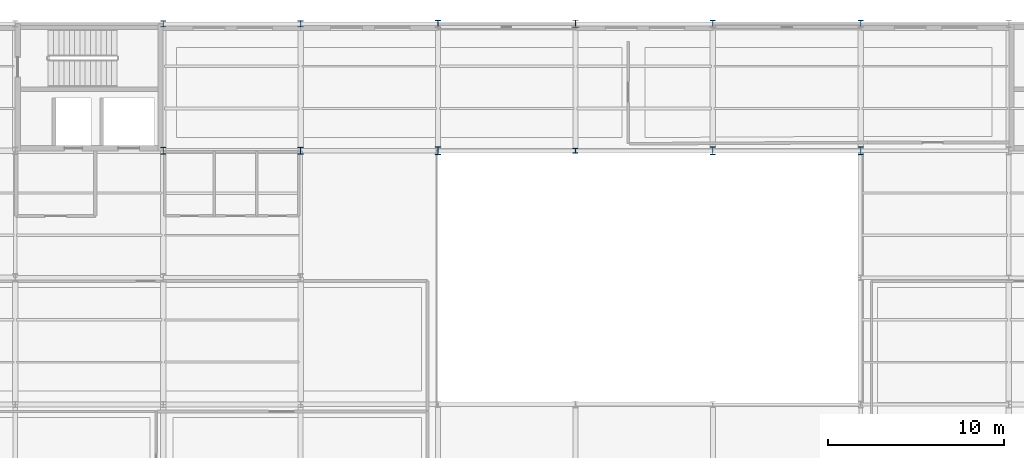
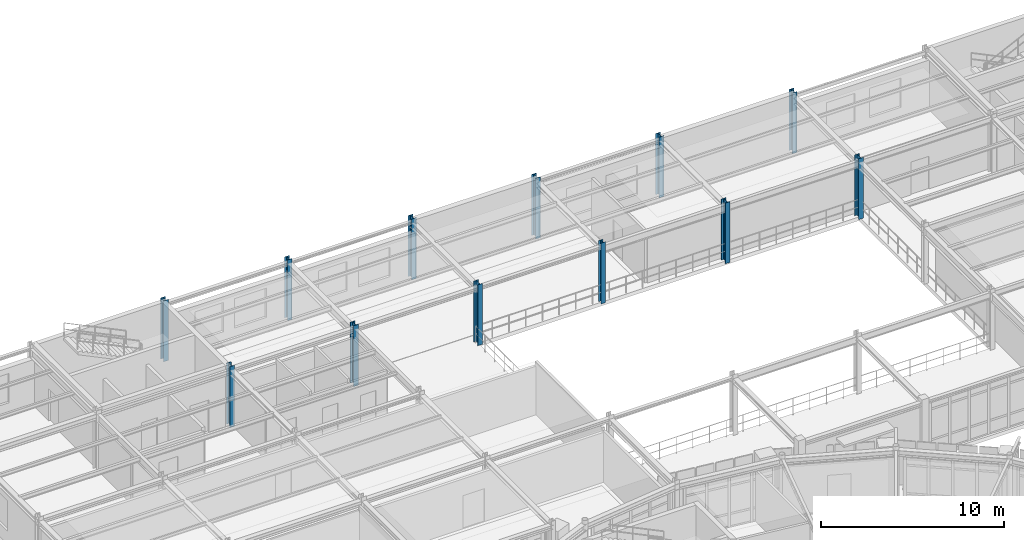
# One storey, part 16 of 70: 12 columns.
"""IFC4 building model written with IfcOpenShell, lengths in metres."""

from ifc_helpers import new_model, si_unit, derived_unit, direction, frame, origin, origin_2d, place, context, subcontext, project, spatial, i_section, extrude, material, material_profile, profile_set, type_object, element, save


model = new_model("IFC4")

# Units and contexts
model_context = context("Model", 3, precision=1e-05, world=origin(), true_north=direction((0.0, 1.0)))
body_context = subcontext(model_context, "Body", "Model", "MODEL_VIEW")
ifc_project = project(units=[si_unit("LENGTHUNIT", "METRE"), si_unit("AREAUNIT", "SQUARE_METRE"), si_unit("VOLUMEUNIT", "CUBIC_METRE"), si_unit("PLANEANGLEUNIT", "RADIAN"), si_unit("MASSUNIT", "GRAM", prefix="KILO"), derived_unit("THERMALTRANSMITTANCEUNIT", [(si_unit("POWERUNIT", "WATT"), 1), (si_unit("AREAUNIT", "SQUARE_METRE"), -1), (si_unit("THERMODYNAMICTEMPERATUREUNIT", "KELVIN"), -1)])], contexts=[model_context])

# Site, building, storey
site_placement = place(None, origin())
site = spatial("IfcSite", under=ifc_project, at=site_placement, CompositionType="ELEMENT")
building_placement = place(site_placement, origin())
building = spatial("IfcBuilding", under=site, at=building_placement, Name="Yasenodar Specialist Clinic", CompositionType="ELEMENT")
storey_placement = place(building_placement, frame((0.0, 0.0, 13.199951171875)))
storey = spatial("IfcBuildingStorey", under=building, at=storey_placement, Name="L03", CompositionType="ELEMENT", Elevation=13.199951171875)

# Columns
ifc_material = material(Name="Steel S355", Category="steel")
ifc_material_profile_1 = material_profile(ifc_material, i_section(OverallWidth=0.280029296875, OverallDepth=0.280029296875, WebThickness=0.010498046875, FlangeThickness=0.01806640625, FilletRadius=0.02392578125, at=origin_2d()), Name="HEB 280")
ifc_profile_set_1 = profile_set([ifc_material_profile_1], Name="Steel S355")
column_type_1 = type_object("IfcColumnType", Name="COL-ST-HEB280", PredefinedType="COLUMN", material=ifc_profile_set_1)
column_placement = place(storey_placement, frame((88.800048828125, 104.39990234375, 0.0), z_axis=(0.0, 0.0, 1.0), x_axis=(1.0, 0.0, 0.0)))
element("IfcColumn", 1, at=column_placement, inside=storey, type_object=column_type_1, Name="L03 Column V5-109", PredefinedType="COLUMN", context=body_context, shape_type="SweptSolid", body=[
    extrude(i_section(OverallWidth=0.280029296875, OverallDepth=0.280029296875, WebThickness=0.010498046875, FlangeThickness=0.01806640625, FilletRadius=0.02392578125, at=origin_2d()), origin(), (0.0, 0.0, 1.0), 4.050048828125),
])
ifc_material_profile_2 = material_profile(ifc_material, i_section(OverallWidth=0.300048828125, OverallDepth=0.340087890625, WebThickness=0.011962890625, FlangeThickness=0.021484375, FilletRadius=0.027099609375, at=origin_2d()), Name="HEB 340")
ifc_profile_set_2 = profile_set([ifc_material_profile_2], Name="Steel S355")
column_type_2 = type_object("IfcColumnType", Name="COL-ST-HEB340", PredefinedType="COLUMN", material=ifc_profile_set_2)
for number, where, z_axis, x_axis, name in (
    (2, (65.39990234375, 111.60009765625, 0.0), (0.0, 0.0, 1.0), (1.0, 0.0, 0.0), "L03 Column V5-097"),
    (3, (73.199951171875, 111.60009765625, 0.0), (0.0, 0.0, 1.0), (1.0, 0.0, 0.0), "L03 Column V5-102"),
):
    element("IfcColumn", number, at=place(storey_placement, frame(where, z_axis=z_axis, x_axis=x_axis)), inside=storey, type_object=column_type_2, Name=name, PredefinedType="COLUMN", context=body_context, shape_type="SweptSolid", body=[
        extrude(i_section(OverallWidth=0.300048828125, OverallDepth=0.340087890625, WebThickness=0.011962890625, FlangeThickness=0.021484375, FilletRadius=0.027099609375, at=origin_2d()), origin(), (0.0, 0.0, 1.0), 4.050048828125),
    ])
ifc_material_profile_3 = material_profile(ifc_material, i_section(OverallWidth=0.300048828125, OverallDepth=0.39990234375, WebThickness=0.013427734375, FlangeThickness=0.02392578125, FilletRadius=0.027099609375, at=origin_2d()), Name="HEB 400")
ifc_profile_set_3 = profile_set([ifc_material_profile_3], Name="Steel S355")
column_type_3 = type_object("IfcColumnType", Name="COL-ST-HEB400", PredefinedType="COLUMN", material=ifc_profile_set_3)
for number, where, z_axis, x_axis, name in (
    (4, (65.39990234375, 104.39990234375, 0.0), (0.0, 0.0, 1.0), (1.0, 0.0, 0.0), "L03 Column V5-096"),
    (5, (73.199951171875, 104.39990234375, 0.0), (0.0, 0.0, 1.0), (1.0, 0.0, 0.0), "L03 Column V5-101"),
    (6, (81.0, 111.60009765625, 0.0), (0.0, 0.0, 1.0), (1.0, 0.0, 0.0), "L03 Column V5-106"),
    (7, (96.60009765625, 111.60009765625, 0.0), (0.0, 0.0, 1.0), (1.0, 0.0, 0.0), "L03 Column V5-116"),
    (8, (105.0, 111.60009765625, 0.0), (0.0, 0.0, 1.0), (1.0, 0.0, 0.0), "L03 Column V5-126"),
):
    element("IfcColumn", number, at=place(storey_placement, frame(where, z_axis=z_axis, x_axis=x_axis)), inside=storey, type_object=column_type_3, Name=name, PredefinedType="COLUMN", context=body_context, shape_type="SweptSolid", body=[
        extrude(i_section(OverallWidth=0.300048828125, OverallDepth=0.39990234375, WebThickness=0.013427734375, FlangeThickness=0.02392578125, FilletRadius=0.027099609375, at=origin_2d()), origin(), (0.0, 0.0, 1.0), 4.050048828125),
    ])
ifc_material_profile_4 = material_profile(ifc_material, i_section(OverallWidth=0.300048828125, OverallDepth=0.449951171875, WebThickness=0.013916015625, FlangeThickness=0.02587890625, FilletRadius=0.027099609375, at=origin_2d()), Name="HEB 450")
ifc_profile_set_4 = profile_set([ifc_material_profile_4], Name="Steel S355")
column_type_4 = type_object("IfcColumnType", Name="COL-ST-HEB450", PredefinedType="COLUMN", material=ifc_profile_set_4)
for number, where, z_axis, x_axis, name in (
    (9, (81.0, 104.39990234375, 0.0), (0.0, 0.0, 1.0), (1.0, 0.0, 0.0), "L03 Column V5-105"),
    (10, (88.800048828125, 111.60009765625, 0.0), (0.0, 0.0, 1.0), (1.0, 0.0, 0.0), "L03 Column V5-110"),
    (11, (96.60009765625, 104.39990234375, 0.0), (0.0, 0.0, 1.0), (1.0, 0.0, 0.0), "L03 Column V5-115"),
    (12, (105.0, 104.39990234375, 0.0), (0.0, 0.0, 1.0), (1.0, 0.0, 0.0), "L03 Column V5-125"),
):
    element("IfcColumn", number, at=place(storey_placement, frame(where, z_axis=z_axis, x_axis=x_axis)), inside=storey, type_object=column_type_4, Name=name, PredefinedType="COLUMN", context=body_context, shape_type="SweptSolid", body=[
        extrude(i_section(OverallWidth=0.300048828125, OverallDepth=0.449951171875, WebThickness=0.013916015625, FlangeThickness=0.02587890625, FilletRadius=0.027099609375, at=origin_2d()), origin(), (0.0, 0.0, 1.0), 4.050048828125),
    ])

save(model, "model.ifc")
